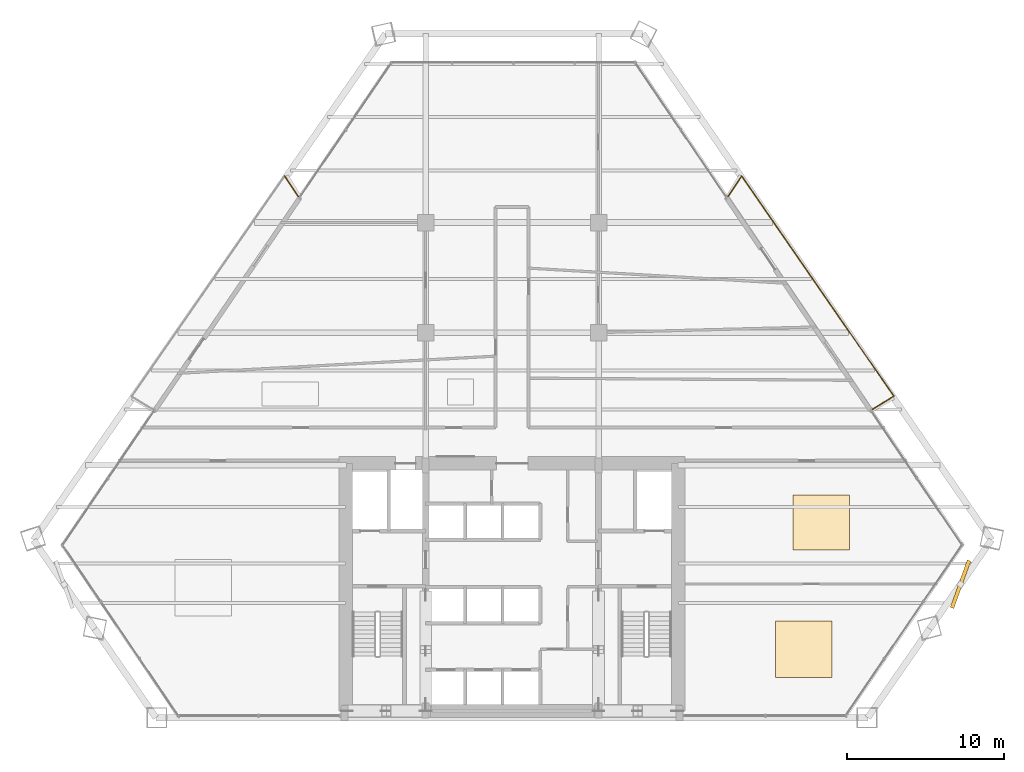
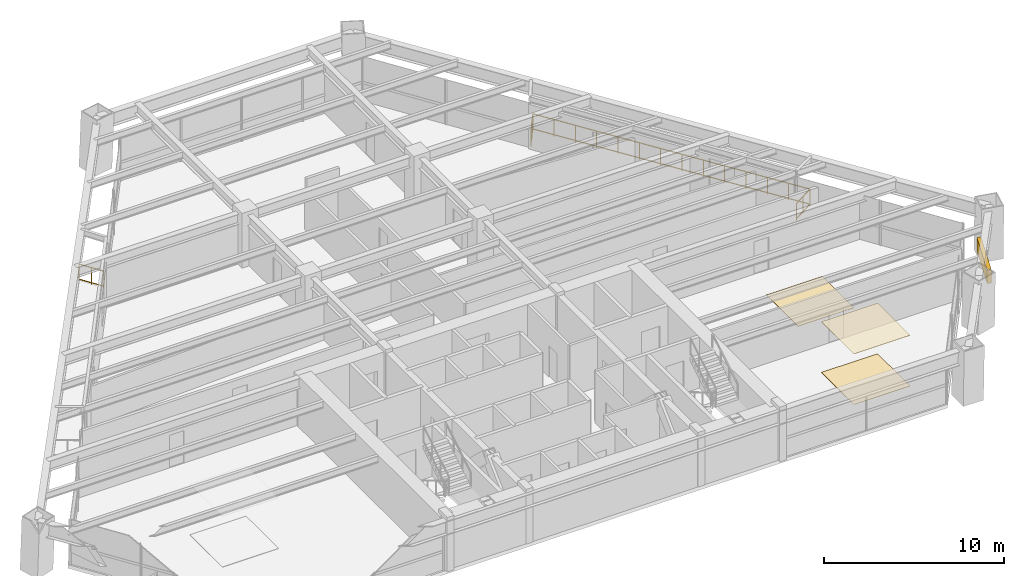
# One storey, part 14 of 14: 4 railings, 3 coverings, 1 shading device.
"""IFC4 building model written with IfcOpenShell, lengths in metres."""

from ifc_helpers import new_model, si_unit, direction, frame, origin, origin_2d, place, context, subcontext, project, spatial, rectangle, extrude, source, transform, mapped, material, layer, layer_set, type_object, type_shapes, element, save


model = new_model("IFC4")

# Units and contexts
model_context = context("Model", 3, precision=1e-05, world=origin(), true_north=direction((0.0, 1.0)))
body_context = subcontext(model_context, "Body", "Model", "MODEL_VIEW")
ifc_project = project(units=[si_unit("LENGTHUNIT", "METRE"), si_unit("AREAUNIT", "SQUARE_METRE"), si_unit("VOLUMEUNIT", "CUBIC_METRE"), si_unit("PLANEANGLEUNIT", "RADIAN"), si_unit("MASSUNIT", "GRAM", prefix="KILO")], contexts=[model_context])

# Site, building, storey
site_placement = place(None, origin())
site = spatial("IfcSite", under=ifc_project, at=site_placement, CompositionType="ELEMENT")
building_placement = place(site_placement, origin())
building = spatial("IfcBuilding", under=site, at=building_placement, Name="Varnakhor Terracotta Tower", CompositionType="ELEMENT")
storey_placement = place(building_placement, frame((0.0, 0.0, 34.89990234375)))
storey = spatial("IfcBuildingStorey", under=building, at=storey_placement, Name="L07", CompositionType="ELEMENT", Elevation=34.89990234375)

# Railings
ifc_material_1 = material(Name="Stainless Steel & Laminated Glass Guardrail", Category="steel")
railing_type = type_object("IfcRailingType", Name="RLG-LOGGIA-GUARD-1150", PredefinedType="GUARDRAIL", material=ifc_material_1)
railing_1_placement = place(storey_placement, frame((13.74462890625, 33.168212890625, 0.0)))
element("IfcRailing", 1, at=railing_1_placement, inside=storey, type_object=railing_type, Name="L07 E Loggia Glass Guard 1", PredefinedType="GUARDRAIL", context=body_context, shape_type="SweptSolid", body=[
    extrude(rectangle(XDim=0.048095703125, YDim=0.048095703125, at=origin_2d()), frame((0.0, 0.0, 1.1259765625), z_axis=(0.556010280426, 0.831175413532, 0.0), x_axis=(-0.831175413532, 0.556010280426, 0.0)), (0.0, 0.0, 1.0), 1.54736328125),
    extrude(rectangle(XDim=0.048095703125, YDim=0.048095703125, at=origin_2d()), frame((0.0, 0.0, 0.10009765625), z_axis=(0.556010280426, 0.831175413532, 0.0), x_axis=(-0.831175413532, 0.556010280426, 0.0)), (0.0, 0.0, 1.0), 1.54736328125),
    extrude(rectangle(XDim=0.0419921875, YDim=0.0419921875, at=origin_2d()), origin(), (0.0, 0.0, 1.0), 1.101806640625),
    extrude(rectangle(XDim=0.0419921875, YDim=0.0419921875, at=origin_2d()), frame((0.43017578125, 0.64306640625, 0.0)), (0.0, 0.0, 1.0), 1.101806640625),
    extrude(rectangle(XDim=0.0419921875, YDim=0.0419921875, at=origin_2d()), frame((0.8603515625, 1.2861328125, 0.0)), (0.0, 0.0, 1.0), 1.101806640625),
])
railing_2_placement = place(storey_placement, frame((14.60498046875, 34.454345703125, 0.0)))
element("IfcRailing", 2, at=railing_2_placement, inside=storey, type_object=railing_type, Name="L07 E Loggia Glass Guard 2", PredefinedType="GUARDRAIL", context=body_context, shape_type="SweptSolid", body=[
    extrude(rectangle(XDim=0.048095703125, YDim=0.048095703125, at=origin_2d()), frame((0.0, 0.0, 1.1259765625), z_axis=(0.568585455204, -0.822624203468, 0.0), x_axis=(0.822624203468, 0.568585455204, 0.0)), (0.0, 0.0, 1.0), 17.01904296875),
    extrude(rectangle(XDim=0.048095703125, YDim=0.048095703125, at=origin_2d()), frame((0.0, 0.0, 0.10009765625), z_axis=(0.568585455204, -0.822624203468, 0.0), x_axis=(0.822624203468, 0.568585455204, 0.0)), (0.0, 0.0, 1.0), 17.01904296875),
    extrude(rectangle(XDim=0.0419921875, YDim=0.0419921875, at=origin_2d()), origin(), (0.0, 0.0, 1.0), 1.101806640625),
    extrude(rectangle(XDim=0.0419921875, YDim=0.0419921875, at=origin_2d()), frame((0.744384765625, -1.076904296875, 0.0)), (0.0, 0.0, 1.0), 1.101806640625),
    extrude(rectangle(XDim=0.0419921875, YDim=0.0419921875, at=origin_2d()), frame((1.48876953125, -2.15380859375, 0.0)), (0.0, 0.0, 1.0), 1.101806640625),
    extrude(rectangle(XDim=0.0419921875, YDim=0.0419921875, at=origin_2d()), frame((2.233154296875, -3.230712890625, 0.0)), (0.0, 0.0, 1.0), 1.101806640625),
    extrude(rectangle(XDim=0.0419921875, YDim=0.0419921875, at=origin_2d()), frame((2.9775390625, -4.307861328125, 0.0)), (0.0, 0.0, 1.0), 1.101806640625),
    extrude(rectangle(XDim=0.0419921875, YDim=0.0419921875, at=origin_2d()), frame((3.721923828125, -5.384765625, 0.0)), (0.0, 0.0, 1.0), 1.101806640625),
    extrude(rectangle(XDim=0.0419921875, YDim=0.0419921875, at=origin_2d()), frame((4.46630859375, -6.461669921875, 0.0)), (0.0, 0.0, 1.0), 1.101806640625),
    extrude(rectangle(XDim=0.0419921875, YDim=0.0419921875, at=origin_2d()), frame((5.21044921875, -7.53857421875, 0.0)), (0.0, 0.0, 1.0), 1.101806640625),
    extrude(rectangle(XDim=0.0419921875, YDim=0.0419921875, at=origin_2d()), frame((5.954833984375, -8.615478515625, 0.0)), (0.0, 0.0, 1.0), 1.101806640625),
    extrude(rectangle(XDim=0.0419921875, YDim=0.0419921875, at=origin_2d()), frame((6.69921875, -9.6923828125, 0.0)), (0.0, 0.0, 1.0), 1.101806640625),
    extrude(rectangle(XDim=0.0419921875, YDim=0.0419921875, at=origin_2d()), frame((7.443603515625, -10.76953125, 0.0)), (0.0, 0.0, 1.0), 1.101806640625),
    extrude(rectangle(XDim=0.0419921875, YDim=0.0419921875, at=origin_2d()), frame((8.18798828125, -11.846435546875, 0.0)), (0.0, 0.0, 1.0), 1.101806640625),
    extrude(rectangle(XDim=0.0419921875, YDim=0.0419921875, at=origin_2d()), frame((8.932373046875, -12.92333984375, 0.0)), (0.0, 0.0, 1.0), 1.101806640625),
    extrude(rectangle(XDim=0.0419921875, YDim=0.0419921875, at=origin_2d()), frame((9.6767578125, -14.000244140625, 0.0)), (0.0, 0.0, 1.0), 1.101806640625),
])
railing_3_placement = place(storey_placement, frame((24.28173828125, 20.4541015625, 0.0)))
element("IfcRailing", 3, at=railing_3_placement, inside=storey, type_object=railing_type, Name="L07 E Loggia Glass Guard 3", PredefinedType="GUARDRAIL", context=body_context, shape_type="SweptSolid", body=[
    extrude(rectangle(XDim=0.048095703125, YDim=0.048095703125, at=origin_2d()), frame((0.0, 0.0, 1.1259765625), z_axis=(-0.850104779924, -0.526613580484, 0.0), x_axis=(0.526613580484, -0.850104779924, 0.0)), (0.0, 0.0, 1.0), 1.590087890625),
    extrude(rectangle(XDim=0.048095703125, YDim=0.048095703125, at=origin_2d()), frame((0.0, 0.0, 0.10009765625), z_axis=(-0.850104779924, -0.526613580484, 0.0), x_axis=(0.526613580484, -0.850104779924, 0.0)), (0.0, 0.0, 1.0), 1.590087890625),
    extrude(rectangle(XDim=0.0419921875, YDim=0.0419921875, at=origin_2d()), origin(), (0.0, 0.0, 1.0), 1.101806640625),
    extrude(rectangle(XDim=0.0419921875, YDim=0.0419921875, at=origin_2d()), frame((-0.67578125, -0.418701171875, 0.0)), (0.0, 0.0, 1.0), 1.101806640625),
    extrude(rectangle(XDim=0.0419921875, YDim=0.0419921875, at=origin_2d()), frame((-1.351806640625, -0.83740234375, 0.0)), (0.0, 0.0, 1.0), 1.101806640625),
])
railing_4_placement = place(storey_placement, frame((-14.470703125, 34.450439453125, 0.0)))
element("IfcRailing", 4, at=railing_4_placement, inside=storey, type_object=railing_type, Name="L07 W Loggia Glass Guard 3", PredefinedType="GUARDRAIL", context=body_context, shape_type="SweptSolid", body=[
    extrude(rectangle(XDim=0.048095703125, YDim=0.048095703125, at=origin_2d()), frame((0.0, 0.0, 1.1259765625), z_axis=(0.55611926754, -0.831102496851, 0.0), x_axis=(0.831102496851, 0.55611926754, 0.0)), (0.0, 0.0, 1.0), 1.547607421875),
    extrude(rectangle(XDim=0.048095703125, YDim=0.048095703125, at=origin_2d()), frame((0.0, 0.0, 0.10009765625), z_axis=(0.55611926754, -0.831102496851, 0.0), x_axis=(0.831102496851, 0.55611926754, 0.0)), (0.0, 0.0, 1.0), 1.547607421875),
    extrude(rectangle(XDim=0.0419921875, YDim=0.0419921875, at=origin_2d()), origin(), (0.0, 0.0, 1.0), 1.101806640625),
    extrude(rectangle(XDim=0.0419921875, YDim=0.0419921875, at=origin_2d()), frame((0.43017578125, -0.64306640625, 0.0)), (0.0, 0.0, 1.0), 1.101806640625),
    extrude(rectangle(XDim=0.0419921875, YDim=0.0419921875, at=origin_2d()), frame((0.860595703125, -1.2861328125, 0.0)), (0.0, 0.0, 1.0), 1.101806640625),
])

# Shading device
ifc_material_2 = material(Name="Extruded Architectural Terracotta Screen", Category="masonry")
shading_device_type = type_object("IfcShadingDeviceType", Name="TERRACOTTA SOLAR SCREEN E", PredefinedType="USERDEFINED", material=ifc_material_2)
shared_shape_1 = source(origin(), body_context, "Body", "SweptSolid", [
    extrude(rectangle(XDim=3.199951171875, YDim=0.239990234375, at=origin_2d()), origin(), (0.0, 0.0, 1.0), 0.919921875),
])
type_shapes(shading_device_type, [shared_shape_1])
shading_device_placement = place(storey_placement, frame((28.52880859375, 8.48388671875, 1.6181640625), z_axis=(0.0, 0.0, 1.0), x_axis=(0.338754341661, 0.940874856719, 0.0)))
element("IfcShadingDevice", 5, at=shading_device_placement, inside=storey, type_object=shading_device_type, Name="L07 E Terracotta Solar Screen", ObjectType="SCREEN", PredefinedType="USERDEFINED", context=body_context, shape_type="MappedRepresentation", body=[
    mapped(shared_shape_1, transform((0.0, 0.0, 0.0), scale=1.0)),
])

# Coverings
ifc_material_3 = material(Name="Honed Riyadh Limestone Flooring", Category="masonry")
ifc_layer_1 = layer(ifc_material_3, 0.030029296875, Name="Honed Riyadh Limestone Flooring")
ifc_layer_set_1 = layer_set([ifc_layer_1], Name="Honed Riyadh Limestone Flooring")
covering_type_1 = type_object("IfcCoveringType", Name="COV-FLOOR-LIMESTONE", PredefinedType="FLOORING", material=ifc_layer_set_1)
shared_shape_2 = source(origin(), body_context, "Body", "SweptSolid", [
    extrude(rectangle(XDim=3.60009765625, YDim=3.60009765625, at=origin_2d()), origin(), (0.0, 0.0, 1.0), 0.02001953125),
])
covering_1_placement = place(storey_placement, frame((18.56201171875, 4.35205078125, 0.0), z_axis=(0.0, 0.0, 1.0), x_axis=(1.0, 0.0, 0.0)))
element("IfcCovering", 6, at=covering_1_placement, inside=storey, type_object=covering_type_1, Name="L07 Honed Stone Flooring 1", PredefinedType="FLOORING", context=body_context, shape_type="MappedRepresentation", body=[
    mapped(shared_shape_2, transform((0.0, 0.0, 0.0), scale=1.0)),
])
ifc_material_4 = material(Name="Perforated Acoustic Mineral-Fibre Ceiling", Category="gypsum")
ifc_layer_2 = layer(ifc_material_4, 0.02490234375, Name="Perforated Acoustic Mineral-Fibre Ceiling")
ifc_layer_set_2 = layer_set([ifc_layer_2], Name="Perforated Acoustic Mineral-Fibre Ceiling")
covering_type_2 = type_object("IfcCoveringType", Name="COV-CEILING-ACOUSTIC", PredefinedType="CEILING", material=ifc_layer_set_2)
shared_shape_3 = source(origin(), body_context, "Body", "SweptSolid", [
    extrude(rectangle(XDim=3.60009765625, YDim=3.60009765625, at=origin_2d()), origin(), (0.0, 0.0, 1.0), 0.02392578125),
])
covering_2_placement = place(storey_placement, frame((18.56201171875, 4.35205078125, 3.426025390625), z_axis=(0.0, 0.0, 1.0), x_axis=(1.0, 0.0, 0.0)))
element("IfcCovering", 7, at=covering_2_placement, inside=storey, type_object=covering_type_2, Name="L07 Acoustic Ceiling Panel 1", PredefinedType="CEILING", context=body_context, shape_type="MappedRepresentation", body=[
    mapped(shared_shape_3, transform((0.0, 0.0, 0.0), scale=1.0)),
])
shared_shape_4 = source(origin(), body_context, "Body", "SweptSolid", [
    extrude(rectangle(XDim=3.60009765625, YDim=3.507080078125, at=origin_2d()), origin(), (0.0, 0.0, 1.0), 0.02001953125),
])
covering_3_placement = place(storey_placement, frame((19.659912109375, 12.4140625, 0.0), z_axis=(0.0, 0.0, 1.0), x_axis=(1.0, 0.0, 0.0)))
element("IfcCovering", 8, at=covering_3_placement, inside=storey, type_object=covering_type_1, Name="L07 Honed Stone Flooring 3", PredefinedType="FLOORING", context=body_context, shape_type="MappedRepresentation", body=[
    mapped(shared_shape_4, transform((0.0, 0.0, 0.0), scale=1.0)),
])

save(model, "model.ifc")
